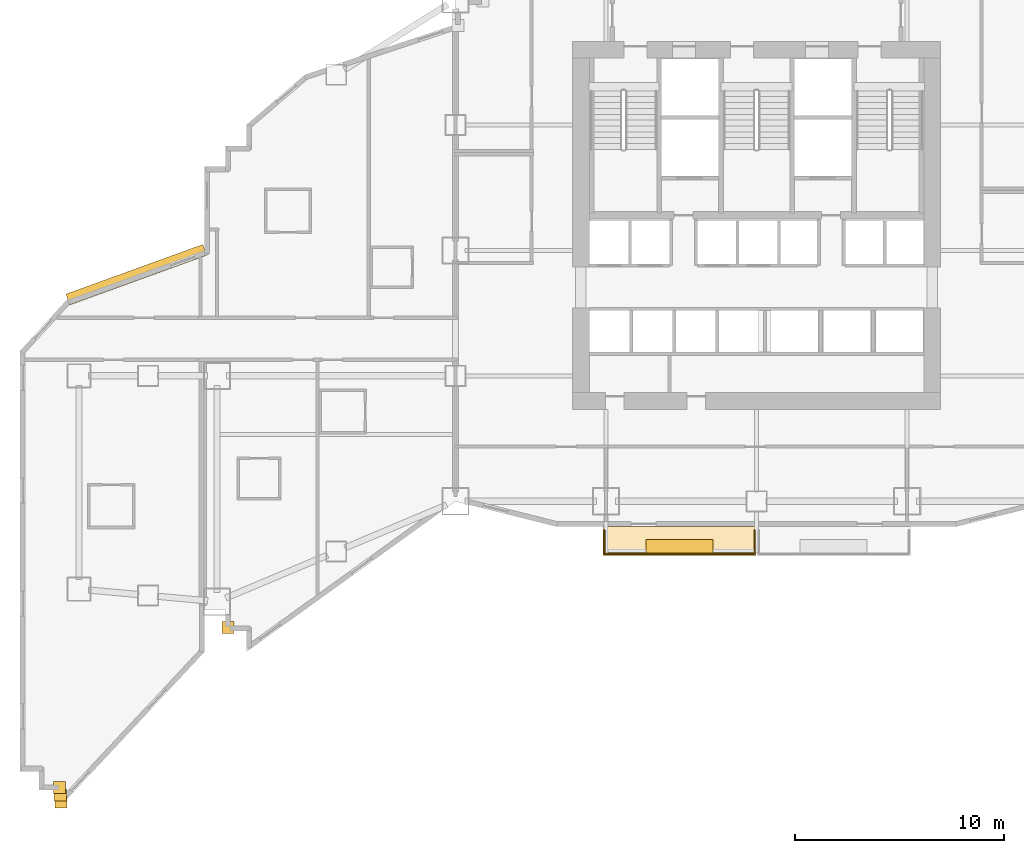
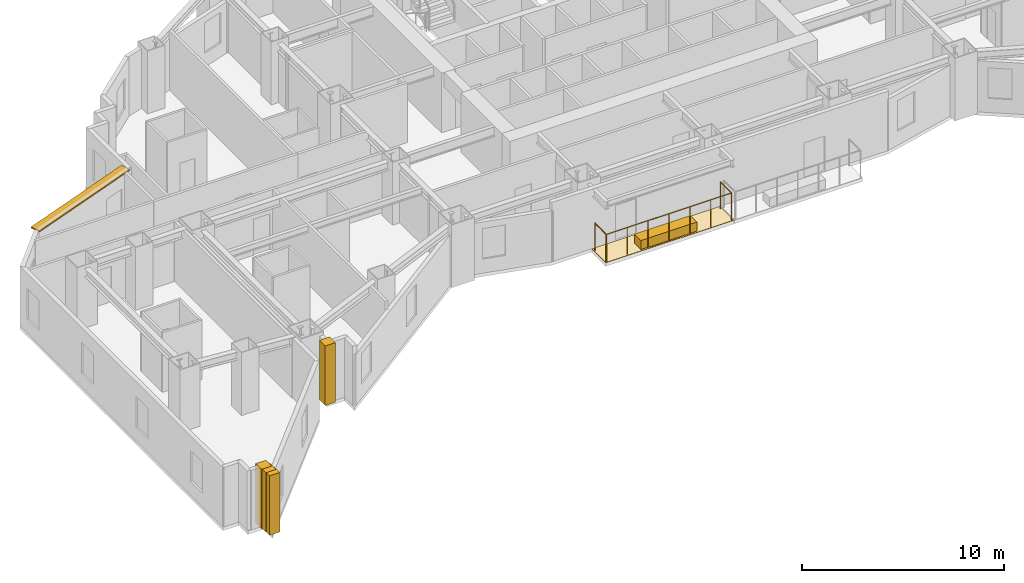
# One storey, part 13 of 17: 6 coverings, 2 railings, 1 shading device.
"""IFC4 building model written with IfcOpenShell, lengths in metres."""

from ifc_helpers import new_model, si_unit, direction, frame, origin, origin_2d, place, context, subcontext, project, spatial, polyline, rectangle, circle, outline, extrude, material, layer, layer_set, type_object, element, save


model = new_model("IFC4")

# Units and contexts
model_context = context("Model", 3, precision=1e-05, world=origin(), true_north=direction((0.0, 1.0)))
body_context = subcontext(model_context, "Body", "Model", "MODEL_VIEW")
ifc_project = project(units=[si_unit("LENGTHUNIT", "METRE"), si_unit("AREAUNIT", "SQUARE_METRE"), si_unit("VOLUMEUNIT", "CUBIC_METRE"), si_unit("PLANEANGLEUNIT", "RADIAN"), si_unit("MASSUNIT", "GRAM", prefix="KILO")], contexts=[model_context])

# Site, building, storey
site_placement = place(None, origin())
site = spatial("IfcSite", under=ifc_project, at=site_placement, CompositionType="ELEMENT")
building_placement = place(site_placement, origin())
building = spatial("IfcBuilding", under=site, at=building_placement, Name="Haolan Belvedere Tower", CompositionType="ELEMENT")
storey_placement = place(building_placement, frame((0.0, 0.0, 27.800048828125)))
storey = spatial("IfcBuildingStorey", under=building, at=storey_placement, Name="L06", CompositionType="ELEMENT", Elevation=27.800048828125)

# Coverings
ifc_material_1 = material(Name="Pale champagne-silver anodised aluminium rainscreen cladding", Category="aluminium")
ifc_layer_1 = layer(ifc_material_1, 0.034912109375, Name="Pale champagne-silver anodised aluminium rainscreen cladding")
ifc_layer_set_1 = layer_set([ifc_layer_1], Name="Pale champagne-silver anodised aluminium rainscreen cladding")
covering_type_1 = type_object("IfcCoveringType", Name="COV-CLAD-35", PredefinedType="CLADDING", material=ifc_layer_set_1)
for number, where, z_axis, x_axis, name in (
    (1, (5.0576171875, 7.910888671875, 0.0), (0.0, 0.0, 1.0), (1.0, 0.0, 0.0), "L06 pale-metal serrated corner cladding trim 1"),
    (2, (5.10009765625, 7.552978515625, 0.0), (0.0, 0.0, 1.0), (1.0, 0.0, 0.0), "L06 pale-metal serrated corner cladding trim 2"),
    (3, (5.12890625, 7.226318359375, 0.0), (0.0, 0.0, 1.0), (1.0, 0.0, 0.0), "L06 pale-metal serrated corner cladding trim 3"),
    (4, (13.1201171875, 15.5625, 0.0), (0.0, 0.0, 1.0), (1.0, 0.0, 0.0), "L06 pale-metal serrated corner cladding trim 4"),
):
    element("IfcCovering", number, at=place(storey_placement, frame(where, z_axis=z_axis, x_axis=x_axis)), inside=storey, type_object=covering_type_1, Name=name, PredefinedType="CLADDING", context=body_context, shape_type="SweptSolid", body=[
        extrude(rectangle(XDim=0.580078125, YDim=0.580078125, at=origin_2d()), origin(), (0.0, 0.0, 1.0), 3.60009765625),
    ])
ifc_material_2 = material(Name="Engineered lightweight planted garden soil substrate", Category="masonry")
ifc_layer_2 = layer(ifc_material_2, 0.550048828125, Name="Engineered lightweight planted garden soil substrate")
ifc_layer_set_2 = layer_set([ifc_layer_2], Name="Engineered lightweight planted garden soil substrate")
covering_type_2 = type_object("IfcCoveringType", Name="COV-PLANT-550", PredefinedType="MEMBRANE", material=ifc_layer_set_2)
covering_1_placement = place(storey_placement, frame((34.715087890625, 19.43994140625, 0.0), z_axis=(0.0, 0.0, 1.0), x_axis=(1.0, 0.0, 0.0)))
element("IfcCovering", 5, at=covering_1_placement, inside=storey, type_object=covering_type_2, Name="L06 structural tree balcony PLANTER box 1", PredefinedType="MEMBRANE", context=body_context, shape_type="SweptSolid", body=[
    extrude(rectangle(XDim=3.199951171875, YDim=0.64990234375, at=origin_2d()), origin(), (0.0, 0.0, 1.0), 0.550048828125),
])
ifc_material_3 = material(Name="Elastomeric waterproof roofing membrane and stone pavers", Category="masonry")
ifc_layer_3 = layer(ifc_material_3, 0.02001953125, Name="Elastomeric waterproof roofing membrane and stone pavers")
ifc_layer_set_3 = layer_set([ifc_layer_3], Name="Elastomeric waterproof roofing membrane and stone pavers")
covering_type_3 = type_object("IfcCoveringType", Name="COV-ROOF-20", PredefinedType="ROOFING", material=ifc_layer_set_3)
covering_2_placement = place(storey_placement, frame((0.0, 0.0, -0.02001953125)))
element("IfcCovering", 6, at=covering_2_placement, inside=storey, type_object=covering_type_3, Name="L06 tree-balcony waterproof membrane 1", PredefinedType="ROOFING", context=body_context, shape_type="SweptSolid", body=[
    extrude(outline(polyline([(31.050048828125, 19.02001953125), (38.3798828125, 19.02001953125), (38.3798828125, 20.39990234375), (31.050048828125, 20.39990234375), (31.050048828125, 19.02001953125)])), origin(), (0.0, 0.0, 1.0), 0.02001953125),
])

# Railings
ifc_material_4 = material(Name="Anodised aluminium and laminated glass balustrade", Category="aluminium")
railing_type = type_object("IfcRailingType", Name="RL-TER-BAL-1150", PredefinedType="BALUSTRADE", material=ifc_material_4)
railing_1_placement = place(storey_placement, frame((31.1298828125, 19.10009765625, 0.0)))
element("IfcRailing", 7, at=railing_1_placement, inside=storey, type_object=railing_type, Name="L06 outdoor perimeter balustrade BAL-L06-1-1", PredefinedType="BALUSTRADE", context=body_context, shape_type="SweptSolid", body=[
    extrude(circle(Radius=0.02392578125, at=origin_2d()), frame((0.0, 0.0, 1.6259765625), z_axis=(0.0, 1.0, 0.0), x_axis=(-1.0, 0.0, 0.0)), (0.0, 0.0, 1.0), 1.119873046875),
    extrude(circle(Radius=0.02099609375, at=origin_2d()), origin(), (0.0, 0.0, 1.0), 1.601806640625),
    extrude(circle(Radius=0.02099609375, at=origin_2d()), frame((0.0, 1.119873046875, 0.0)), (0.0, 0.0, 1.0), 1.601806640625),
])
railing_2_placement = place(storey_placement, frame((38.300048828125, 20.219970703125, 0.0)))
element("IfcRailing", 8, at=railing_2_placement, inside=storey, type_object=railing_type, Name="L06 outdoor perimeter balustrade BAL-L06-1-2", PredefinedType="BALUSTRADE", context=body_context, shape_type="SweptSolid", body=[
    extrude(circle(Radius=0.02392578125, at=origin_2d()), frame((0.0, 0.0, 1.6259765625), z_axis=(0.0, -1.0, 0.0), x_axis=(1.0, 0.0, 0.0)), (0.0, 0.0, 1.0), 1.119873046875),
    extrude(circle(Radius=0.02392578125, at=origin_2d()), frame((0.0, -1.119873046875, 1.6259765625), z_axis=(-1.0, 0.0, 0.0), x_axis=(0.0, -1.0, 0.0)), (0.0, 0.0, 1.0), 7.170166015625),
    extrude(circle(Radius=0.02099609375, at=origin_2d()), origin(), (0.0, 0.0, 1.0), 1.601806640625),
    extrude(circle(Radius=0.02099609375, at=origin_2d()), frame((0.0, -1.119873046875, 0.0)), (0.0, 0.0, 1.0), 1.601806640625),
    extrude(circle(Radius=0.02099609375, at=origin_2d()), frame((-1.195068359375, -1.119873046875, 0.0)), (0.0, 0.0, 1.0), 1.601806640625),
    extrude(circle(Radius=0.02099609375, at=origin_2d()), frame((-2.39013671875, -1.119873046875, 0.0)), (0.0, 0.0, 1.0), 1.601806640625),
    extrude(circle(Radius=0.02099609375, at=origin_2d()), frame((-3.5849609375, -1.119873046875, 0.0)), (0.0, 0.0, 1.0), 1.601806640625),
    extrude(circle(Radius=0.02099609375, at=origin_2d()), frame((-4.780029296875, -1.119873046875, 0.0)), (0.0, 0.0, 1.0), 1.601806640625),
    extrude(circle(Radius=0.02099609375, at=origin_2d()), frame((-5.97509765625, -1.119873046875, 0.0)), (0.0, 0.0, 1.0), 1.601806640625),
    extrude(circle(Radius=0.02099609375, at=origin_2d()), frame((-7.170166015625, -1.119873046875, 0.0)), (0.0, 0.0, 1.0), 1.601806640625),
])

# Shading device
ifc_material_5 = material(Name="Anodised champagne-silver aluminium 6063-T6", Category="aluminium")
ifc_layer_4 = layer(ifc_material_5, 0.080078125, Name="Anodised champagne-silver aluminium 6063-T6")
ifc_layer_set_4 = layer_set([ifc_layer_4], Name="Anodised champagne-silver aluminium 6063-T6")
shading_device_type = type_object("IfcShadingDeviceType", Name="SHD-SUN-550", PredefinedType="USERDEFINED", material=ifc_layer_set_4)
shading_device_placement = place(storey_placement, frame((8.736572265625, 32.438232421875, 3.5), z_axis=(0.0, 0.0, 1.0), x_axis=(-0.940127622529, -0.340822612744, 0.0)))
element("IfcShadingDevice", 9, at=shading_device_placement, inside=storey, type_object=shading_device_type, Name="L06 pale-metal horizontal SUNSHADE band 57.1", ObjectType="SUNSHADE", PredefinedType="USERDEFINED", context=body_context, shape_type="SweptSolid", body=[
    extrude(rectangle(XDim=6.96630859375, YDim=0.550048828125, at=origin_2d()), origin(), (0.0, 0.0, 1.0), 0.080078125),
])

save(model, "model.ifc")
